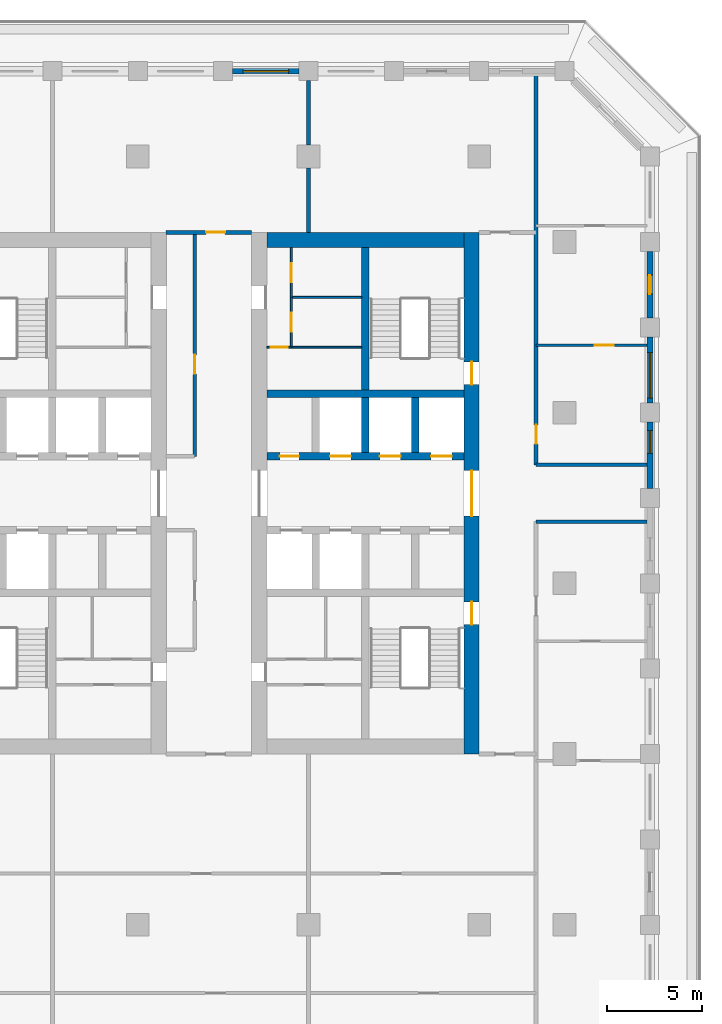
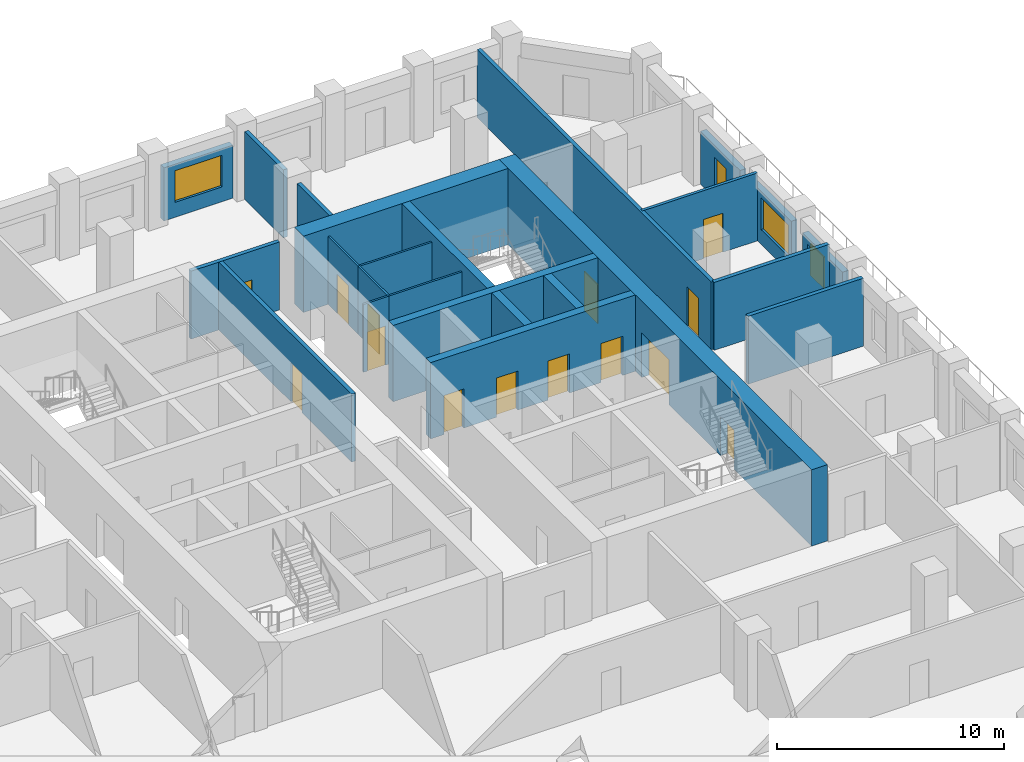
# One storey, part 7 of 16: 24 walls, 15 doors, 3 windows, 18 openings.
"""IFC4 building model written with IfcOpenShell, lengths in metres."""

from ifc_helpers import new_model, si_unit, direction, frame, frame_2d, origin, place, context, subcontext, project, spatial, rectangle, extrude, material, layer, layer_set, type_object, element, fill, save


model = new_model("IFC4")

# Units and contexts
model_context = context("Model", 3, precision=1e-05, world=origin(), true_north=direction((0.0, 1.0)))
body_context = subcontext(model_context, "Body", "Model", "MODEL_VIEW")
ifc_project = project(units=[si_unit("LENGTHUNIT", "METRE"), si_unit("AREAUNIT", "SQUARE_METRE"), si_unit("VOLUMEUNIT", "CUBIC_METRE"), si_unit("PLANEANGLEUNIT", "RADIAN"), si_unit("MASSUNIT", "GRAM", prefix="KILO")], contexts=[model_context])

# Site, building, storey
site_placement = place(None, origin())
site = spatial("IfcSite", under=ifc_project, at=site_placement, CompositionType="ELEMENT")
building_placement = place(site_placement, origin())
building = spatial("IfcBuilding", under=site, at=building_placement, Name="Corbel Stack Research Tower", CompositionType="ELEMENT")
storey_placement = place(building_placement, frame((0.0, 0.0, 177.300048828125)))
storey = spatial("IfcBuildingStorey", under=building, at=storey_placement, Name="L40", CompositionType="ELEMENT", Elevation=177.300048828125)

# Wall, openings, doors
ifc_material_1 = material(Name="Concrete C60/75", Category="concrete")
ifc_layer_1 = layer(ifc_material_1, 0.39990234375)
ifc_layer_set_1 = layer_set([ifc_layer_1], Name="Concrete C60/75")
wall_type_1 = type_object("IfcWallType", Name="CW-400-60", PredefinedType="SHEAR", material=ifc_layer_set_1)
wall_1_placement = place(storey_placement, frame((6.800048828125, 6.699951171875, 0.0), z_axis=(0.0, 0.0, 1.0), x_axis=(1.0, 0.0, 0.0)))
wall_1 = element("IfcWall", 1, at=wall_1_placement, inside=storey, type_object=wall_type_1, Name="East core wall, lobby north L40", PredefinedType="SHEAR", context=body_context, shape_type="SweptSolid", body=[
    extrude(rectangle(XDim=10.39990234375, YDim=0.39990234375, at=frame_2d((5.199951171875, 0.0))), origin(), (0.0, 0.0, 1.0), 4.099853515625),
])
opening_1_placement = place(wall_1_placement, frame((3.33740234375, 0.0, 0.0)))
opening_1 = element("IfcOpeningElement", 2, at=opening_1_placement, cuts=wall_1, Name="Opening LD-HR4", PredefinedType="OPENING", context=body_context, shape_type="SweptSolid", body=[
    extrude(rectangle(XDim=1.10009765625, YDim=2.10009765625, at=frame_2d((0.550048828125, 1.050048828125))), frame((0.0, 0.2099609375, 0.0), z_axis=(0.0, -1.0, 0.0), x_axis=(1.0, 0.0, 0.0)), (0.0, 0.0, 1.0), 0.419921875),
])
opening_2_placement = place(wall_1_placement, frame((5.96240234375, 0.0, 0.0)))
opening_2 = element("IfcOpeningElement", 3, at=opening_2_placement, cuts=wall_1, Name="Opening LD-HR5", PredefinedType="OPENING", context=body_context, shape_type="SweptSolid", body=[
    extrude(rectangle(XDim=1.10009765625, YDim=2.10009765625, at=frame_2d((0.550048828125, 1.050048828125))), frame((0.0, 0.2099609375, 0.0), z_axis=(0.0, -1.0, 0.0), x_axis=(1.0, 0.0, 0.0)), (0.0, 0.0, 1.0), 0.419921875),
])
opening_3_placement = place(wall_1_placement, frame((8.66259765625, 0.0, 0.0)))
opening_3 = element("IfcOpeningElement", 4, at=opening_3_placement, cuts=wall_1, Name="Opening LD-HR6", PredefinedType="OPENING", context=body_context, shape_type="SweptSolid", body=[
    extrude(rectangle(XDim=1.10009765625, YDim=2.10009765625, at=frame_2d((0.550048828125, 1.050048828125))), frame((0.0, 0.2099609375, 0.0), z_axis=(0.0, -1.0, 0.0), x_axis=(1.0, 0.0, 0.0)), (0.0, 0.0, 1.0), 0.419921875),
])
opening_4_placement = place(wall_1_placement, frame((0.6875, 0.0, 0.0)))
opening_4 = element("IfcOpeningElement", 5, at=opening_4_placement, cuts=wall_1, Name="Opening CR-E24-N1", PredefinedType="OPENING", context=body_context, shape_type="SweptSolid", body=[
    extrude(rectangle(XDim=1.0, YDim=2.10009765625, at=frame_2d((0.5, 1.050048828125))), frame((0.0, 0.2099609375, 0.0), z_axis=(0.0, -1.0, 0.0), x_axis=(1.0, 0.0, 0.0)), (0.0, 0.0, 1.0), 0.419921875),
])
ifc_material_2 = material(Name="Stainless steel landing door", Category="steel")
door_type_1 = type_object("IfcDoorType", Name="Lift landing door 1100 x 2100", OperationType="DOUBLE_DOOR_SLIDING", PredefinedType="DOOR", material=ifc_material_2)
door_1_placement = place(opening_1_placement, origin())
door_1 = element("IfcDoor", 6, at=door_1_placement, inside=storey, type_object=door_type_1, Name="Landing door HR4", OperationType="DOUBLE_DOOR_SLIDING", OverallHeight=2.10009765625, OverallWidth=1.10009765625, PredefinedType="DOOR", context=body_context, shape_type="SweptSolid", body=[
    extrude(rectangle(XDim=1.10009765625, YDim=2.10009765625, at=frame_2d((0.550048828125, 1.050048828125))), frame((0.0, 0.02490234375, 0.0), z_axis=(0.0, -1.0, 0.0), x_axis=(1.0, 0.0, 0.0)), (0.0, 0.0, 1.0), 0.050048828125),
])
fill(opening_1, door_1)
door_2_placement = place(opening_2_placement, origin())
door_2 = element("IfcDoor", 7, at=door_2_placement, inside=storey, type_object=door_type_1, Name="Landing door HR5", OperationType="DOUBLE_DOOR_SLIDING", OverallHeight=2.10009765625, OverallWidth=1.10009765625, PredefinedType="DOOR", context=body_context, shape_type="SweptSolid", body=[
    extrude(rectangle(XDim=1.10009765625, YDim=2.10009765625, at=frame_2d((0.550048828125, 1.050048828125))), frame((0.0, 0.02490234375, 0.0), z_axis=(0.0, -1.0, 0.0), x_axis=(1.0, 0.0, 0.0)), (0.0, 0.0, 1.0), 0.050048828125),
])
fill(opening_2, door_2)
door_3_placement = place(opening_3_placement, origin())
door_3 = element("IfcDoor", 8, at=door_3_placement, inside=storey, type_object=door_type_1, Name="Landing door HR6", OperationType="DOUBLE_DOOR_SLIDING", OverallHeight=2.10009765625, OverallWidth=1.10009765625, PredefinedType="DOOR", context=body_context, shape_type="SweptSolid", body=[
    extrude(rectangle(XDim=1.10009765625, YDim=2.10009765625, at=frame_2d((0.550048828125, 1.050048828125))), frame((0.0, 0.02490234375, 0.0), z_axis=(0.0, -1.0, 0.0), x_axis=(1.0, 0.0, 0.0)), (0.0, 0.0, 1.0), 0.050048828125),
])
fill(opening_3, door_3)
ifc_material_3 = material(Name="Painted steel door", Category="steel")
door_type_2 = type_object("IfcDoorType", Name="Service door 1000 x 2100 FD60 left hand", OperationType="SINGLE_SWING_LEFT", PredefinedType="DOOR", material=ifc_material_3)
door_4_placement = place(opening_4_placement, origin())
door_4 = element("IfcDoor", 9, at=door_4_placement, inside=storey, type_object=door_type_2, Name="Pantry door E core", OperationType="SINGLE_SWING_LEFT", OverallHeight=2.10009765625, OverallWidth=1.0, PredefinedType="DOOR", context=body_context, shape_type="SweptSolid", body=[
    extrude(rectangle(XDim=1.0, YDim=2.10009765625, at=frame_2d((0.5, 1.050048828125))), frame((0.0, 0.02490234375, 0.0), z_axis=(0.0, -1.0, 0.0), x_axis=(1.0, 0.0, 0.0)), (0.0, 0.0, 1.0), 0.050048828125),
])
fill(opening_4, door_4)

# Walls
wall_2_placement = place(storey_placement, frame((6.800048828125, 10.0, 0.0), z_axis=(0.0, 0.0, 1.0), x_axis=(1.0, 0.0, 0.0)))
element("IfcWall", 10, at=wall_2_placement, inside=storey, type_object=wall_type_1, Name="East core wall, north row back L40", PredefinedType="SHEAR", context=body_context, shape_type="SweptSolid", body=[
    extrude(rectangle(XDim=10.39990234375, YDim=0.39990234375, at=frame_2d((5.199951171875, 0.0))), origin(), (0.0, 0.0, 1.0), 4.099853515625),
])
for number, where, z_axis, x_axis, name in (
    (11, (12.0, 6.89990234375, 0.0), (0.0, 0.0, 1.0), (0.0, 1.0, 0.0), "East core wall, north shaft 2 L40"),
    (12, (14.625, 6.89990234375, 0.0), (0.0, 0.0, 1.0), (0.0, 1.0, 0.0), "East core wall, north shaft 3 L40"),
):
    element("IfcWall", number, at=place(storey_placement, frame(where, z_axis=z_axis, x_axis=x_axis)), inside=storey, type_object=wall_type_1, Name=name, PredefinedType="SHEAR", context=body_context, shape_type="SweptSolid", body=[
        extrude(rectangle(XDim=2.900146484375, YDim=0.39990234375, at=frame_2d((1.4501953125, 0.0))), origin(), (0.0, 0.0, 1.0), 4.099853515625),
    ])
wall_3_placement = place(storey_placement, frame((12.0, 10.199951171875, 0.0), z_axis=(0.0, 0.0, 1.0), x_axis=(0.0, 1.0, 0.0)))
element("IfcWall", 13, at=wall_3_placement, inside=storey, type_object=wall_type_1, Name="East core wall, north stair and riser L40", PredefinedType="SHEAR", context=body_context, shape_type="SweptSolid", body=[
    extrude(rectangle(XDim=7.5, YDim=0.39990234375, at=frame_2d((3.75, 0.0))), origin(), (0.0, 0.0, 1.0), 4.099853515625),
])

# Wall, openings, doors
ifc_material_4 = material(Name="Concrete C60/75", Category="concrete")
ifc_layer_2 = layer(ifc_material_4, 0.800048828125)
ifc_layer_set_2 = layer_set([ifc_layer_2], Name="Concrete C60/75")
wall_type_2 = type_object("IfcWallType", Name="CW-800-60", PredefinedType="SHEAR", material=ifc_layer_set_2)
wall_4_placement = place(storey_placement, frame((17.60009765625, -9.0, 0.0), z_axis=(0.0, 0.0, 1.0), x_axis=(0.0, 1.0, 0.0)))
wall_4 = element("IfcWall", 14, at=wall_4_placement, inside=storey, type_object=wall_type_2, Name="East core wall, east face L40", PredefinedType="SHEAR", context=body_context, shape_type="SweptSolid", body=[
    extrude(rectangle(XDim=27.5, YDim=0.800048828125, at=frame_2d((13.75, 0.0))), origin(), (0.0, 0.0, 1.0), 4.099853515625),
])
opening_5_placement = place(wall_4_placement, frame((12.550048828125, 0.0, 0.0)))
opening_5 = element("IfcOpeningElement", 15, at=opening_5_placement, cuts=wall_4, Name="Opening CD-E-E", PredefinedType="OPENING", context=body_context, shape_type="SweptSolid", body=[
    extrude(rectangle(XDim=2.39990234375, YDim=2.39990234375, at=frame_2d((1.199951171875, 1.199951171875))), frame((0.0, 0.409912109375, 0.0), z_axis=(0.0, -1.0, 0.0), x_axis=(1.0, 0.0, 0.0)), (0.0, 0.0, 1.0), 0.820068359375),
])
opening_6_placement = place(wall_4_placement, frame((6.824951171875, 0.0, 0.0)))
opening_6 = element("IfcOpeningElement", 16, at=opening_6_placement, cuts=wall_4, Name="Opening SD-ST-E1", PredefinedType="OPENING", context=body_context, shape_type="SweptSolid", body=[
    extrude(rectangle(XDim=1.199951171875, YDim=2.10009765625, at=frame_2d((0.60009765625, 1.050048828125))), frame((0.0, 0.409912109375, 0.0), z_axis=(0.0, -1.0, 0.0), x_axis=(1.0, 0.0, 0.0)), (0.0, 0.0, 1.0), 0.820068359375),
])
opening_7_placement = place(wall_4_placement, frame((19.47509765625, 0.0, 0.0)))
opening_7 = element("IfcOpeningElement", 17, at=opening_7_placement, cuts=wall_4, Name="Opening SD-ST-E2", PredefinedType="OPENING", context=body_context, shape_type="SweptSolid", body=[
    extrude(rectangle(XDim=1.199951171875, YDim=2.10009765625, at=frame_2d((0.60009765625, 1.050048828125))), frame((0.0, 0.409912109375, 0.0), z_axis=(0.0, -1.0, 0.0), x_axis=(1.0, 0.0, 0.0)), (0.0, 0.0, 1.0), 0.820068359375),
])
ifc_material_5 = material(Name="Painted steel fire door", Category="steel")
door_type_3 = type_object("IfcDoorType", Name="Lobby door pair 2400 x 2400 FD30S", OperationType="DOUBLE_DOOR_DOUBLE_SWING", PredefinedType="DOOR", material=ifc_material_5)
door_5_placement = place(opening_5_placement, origin())
door_5 = element("IfcDoor", 18, at=door_5_placement, inside=storey, type_object=door_type_3, Name="Lift lobby door E core E", OperationType="DOUBLE_DOOR_DOUBLE_SWING", OverallHeight=2.39990234375, OverallWidth=2.39990234375, PredefinedType="DOOR", context=body_context, shape_type="SweptSolid", body=[
    extrude(rectangle(XDim=2.39990234375, YDim=2.39990234375, at=frame_2d((1.199951171875, 1.199951171875))), frame((0.0, 0.02490234375, 0.0), z_axis=(0.0, -1.0, 0.0), x_axis=(1.0, 0.0, 0.0)), (0.0, 0.0, 1.0), 0.050048828125),
])
fill(opening_5, door_5)
ifc_material_6 = material(Name="Painted steel fire door", Category="steel")
door_type_4 = type_object("IfcDoorType", Name="Stair door 1200 x 2100 FD90 right hand", OperationType="SINGLE_SWING_RIGHT", PredefinedType="DOOR", material=ifc_material_6)
door_6_placement = place(opening_6_placement, frame((1.199951171875, 0.0, 0.0), z_axis=(0.0, 0.0, 1.0), x_axis=(-1.0, 0.0, 0.0)))
door_6 = element("IfcDoor", 19, at=door_6_placement, inside=storey, type_object=door_type_4, Name="Stair door ST-E1", OperationType="SINGLE_SWING_LEFT", OverallHeight=2.10009765625, OverallWidth=1.199951171875, PredefinedType="DOOR", context=body_context, shape_type="SweptSolid", body=[
    extrude(rectangle(XDim=1.199951171875, YDim=2.10009765625, at=frame_2d((0.60009765625, 1.050048828125))), frame((0.0, 0.02490234375, 0.0), z_axis=(0.0, -1.0, 0.0), x_axis=(1.0, 0.0, 0.0)), (0.0, 0.0, 1.0), 0.050048828125),
])
fill(opening_6, door_6)
door_7_placement = place(opening_7_placement, frame((1.199951171875, 0.0, 0.0), z_axis=(0.0, 0.0, 1.0), x_axis=(-1.0, 0.0, 0.0)))
door_7 = element("IfcDoor", 20, at=door_7_placement, inside=storey, type_object=door_type_4, Name="Stair door ST-E2", OperationType="SINGLE_SWING_LEFT", OverallHeight=2.10009765625, OverallWidth=1.199951171875, PredefinedType="DOOR", context=body_context, shape_type="SweptSolid", body=[
    extrude(rectangle(XDim=1.199951171875, YDim=2.10009765625, at=frame_2d((0.60009765625, 1.050048828125))), frame((0.0, 0.02490234375, 0.0), z_axis=(0.0, -1.0, 0.0), x_axis=(1.0, 0.0, 0.0)), (0.0, 0.0, 1.0), 0.050048828125),
])
fill(opening_7, door_7)

# Wall
wall_5_placement = place(storey_placement, frame((6.800048828125, 18.10009765625, 0.0), z_axis=(0.0, 0.0, 1.0), x_axis=(1.0, 0.0, 0.0)))
element("IfcWall", 21, at=wall_5_placement, inside=storey, type_object=wall_type_2, Name="East core wall, north end L40", PredefinedType="SHEAR", context=body_context, shape_type="SweptSolid", body=[
    extrude(rectangle(XDim=10.39990234375, YDim=0.800048828125, at=frame_2d((5.199951171875, 0.0))), origin(), (0.0, 0.0, 1.0), 4.099853515625),
])

# Wall, opening, door
ifc_material_7 = material(Name="Gypsum board")
ifc_layer_3 = layer(ifc_material_7, 0.10009765625)
ifc_layer_set_3 = layer_set([ifc_layer_3], Name="Gypsum board")
wall_type_3 = type_object("IfcWallType", Name="Core partition 100", PredefinedType="PARTITIONING", material=ifc_layer_set_3)
wall_6_placement = place(storey_placement, frame((6.800048828125, 12.449951171875, 0.0), z_axis=(0.0, 0.0, 1.0), x_axis=(1.0, 0.0, 0.0)))
wall_6 = element("IfcWall", 22, at=wall_6_placement, inside=storey, type_object=wall_type_3, Name="Core partition E", PredefinedType="PARTITIONING", context=body_context, shape_type="SweptSolid", body=[
    extrude(rectangle(XDim=1.300048828125, YDim=0.10009765625, at=frame_2d((0.64990234375, 0.0))), origin(), (0.0, 0.0, 1.0), 3.64990234375),
])
opening_8_placement = place(wall_6_placement, frame((0.199951171875, 0.0, 0.0)))
opening_8 = element("IfcOpeningElement", 23, at=opening_8_placement, cuts=wall_6, Name="Opening CR-E24-R1-900", PredefinedType="OPENING", context=body_context, shape_type="SweptSolid", body=[
    extrude(rectangle(XDim=0.89990234375, YDim=2.10009765625, at=frame_2d((0.449951171875, 1.050048828125))), frame((0.0, 0.06005859375, 0.0), z_axis=(0.0, -1.0, 0.0), x_axis=(1.0, 0.0, 0.0)), (0.0, 0.0, 1.0), 0.1201171875),
])
ifc_material_8 = material(Name="Painted steel door", Category="steel")
door_type_5 = type_object("IfcDoorType", Name="Riser door 900 x 2100 FD60 right hand", OperationType="SINGLE_SWING_RIGHT", PredefinedType="DOOR", material=ifc_material_8)
door_8_placement = place(opening_8_placement, origin())
door_8 = element("IfcDoor", 24, at=door_8_placement, inside=storey, type_object=door_type_5, Name="Electrical riser door E core", OperationType="SINGLE_SWING_RIGHT", OverallHeight=2.10009765625, OverallWidth=0.89990234375, PredefinedType="DOOR", context=body_context, shape_type="SweptSolid", body=[
    extrude(rectangle(XDim=0.89990234375, YDim=2.10009765625, at=frame_2d((0.449951171875, 1.050048828125))), frame((0.0, 0.02490234375, 0.0), z_axis=(0.0, -1.0, 0.0), x_axis=(1.0, 0.0, 0.0)), (0.0, 0.0, 1.0), 0.050048828125),
])
fill(opening_8, door_8)

# Wall
wall_7_placement = place(storey_placement, frame((8.10009765625, 12.449951171875, 0.0), z_axis=(0.0, 0.0, 1.0), x_axis=(1.0, 0.0, 0.0)))
element("IfcWall", 25, at=wall_7_placement, inside=storey, type_object=wall_type_3, Name="Core partition E", PredefinedType="PARTITIONING", context=body_context, shape_type="SweptSolid", body=[
    extrude(rectangle(XDim=3.699951171875, YDim=0.10009765625, at=frame_2d((1.85009765625, 0.0))), origin(), (0.0, 0.0, 1.0), 3.64990234375),
])

# Wall, opening, door
wall_8_placement = place(storey_placement, frame((8.10009765625, 12.449951171875, 0.0), z_axis=(0.0, 0.0, 1.0), x_axis=(0.0, 1.0, 0.0)))
wall_8 = element("IfcWall", 26, at=wall_8_placement, inside=storey, type_object=wall_type_3, Name="Core partition E", PredefinedType="PARTITIONING", context=body_context, shape_type="SweptSolid", body=[
    extrude(rectangle(XDim=2.625, YDim=0.10009765625, at=frame_2d((1.3125, 0.0))), origin(), (0.0, 0.0, 1.0), 3.64990234375),
])
opening_9_placement = place(wall_8_placement, frame((0.8125, 0.0, 0.0)))
opening_9 = element("IfcOpeningElement", 27, at=opening_9_placement, cuts=wall_8, Name="Opening CR-E24-R3-1000", PredefinedType="OPENING", context=body_context, shape_type="SweptSolid", body=[
    extrude(rectangle(XDim=1.0, YDim=2.10009765625, at=frame_2d((0.5, 1.050048828125))), frame((0.0, 0.06005859375, 0.0), z_axis=(0.0, -1.0, 0.0), x_axis=(1.0, 0.0, 0.0)), (0.0, 0.0, 1.0), 0.1201171875),
])
ifc_material_9 = material(Name="Painted steel door", Category="steel")
door_type_6 = type_object("IfcDoorType", Name="Service door 1000 x 2100 FD30 right hand", OperationType="SINGLE_SWING_RIGHT", PredefinedType="DOOR", material=ifc_material_9)
door_9_placement = place(opening_9_placement, origin())
door_9 = element("IfcDoor", 28, at=door_9_placement, inside=storey, type_object=door_type_6, Name="Pantry door E core", OperationType="SINGLE_SWING_RIGHT", OverallHeight=2.10009765625, OverallWidth=1.0, PredefinedType="DOOR", context=body_context, shape_type="SweptSolid", body=[
    extrude(rectangle(XDim=1.0, YDim=2.10009765625, at=frame_2d((0.5, 1.050048828125))), frame((0.0, 0.02490234375, 0.0), z_axis=(0.0, -1.0, 0.0), x_axis=(1.0, 0.0, 0.0)), (0.0, 0.0, 1.0), 0.050048828125),
])
fill(opening_9, door_9)

wall_9_placement = place(storey_placement, frame((8.10009765625, 15.074951171875, 0.0), z_axis=(0.0, 0.0, 1.0), x_axis=(0.0, 1.0, 0.0)))
wall_9 = element("IfcWall", 29, at=wall_9_placement, inside=storey, type_object=wall_type_3, Name="Core partition E", PredefinedType="PARTITIONING", context=body_context, shape_type="SweptSolid", body=[
    extrude(rectangle(XDim=2.625, YDim=0.10009765625, at=frame_2d((1.3125, 0.0))), origin(), (0.0, 0.0, 1.0), 3.64990234375),
])
opening_10_placement = place(wall_9_placement, frame((0.8125, 0.0, 0.0)))
opening_10 = element("IfcOpeningElement", 30, at=opening_10_placement, cuts=wall_9, Name="Opening CR-E24-R4-1000", PredefinedType="OPENING", context=body_context, shape_type="SweptSolid", body=[
    extrude(rectangle(XDim=1.0, YDim=2.10009765625, at=frame_2d((0.5, 1.050048828125))), frame((0.0, 0.06005859375, 0.0), z_axis=(0.0, -1.0, 0.0), x_axis=(1.0, 0.0, 0.0)), (0.0, 0.0, 1.0), 0.1201171875),
])
ifc_material_10 = material(Name="Painted steel door", Category="steel")
door_type_7 = type_object("IfcDoorType", Name="Service door 1000 x 2100 FD30 left hand", OperationType="SINGLE_SWING_LEFT", PredefinedType="DOOR", material=ifc_material_10)
door_10_placement = place(opening_10_placement, origin())
door_10 = element("IfcDoor", 31, at=door_10_placement, inside=storey, type_object=door_type_7, Name="Copy and supply store door E core", OperationType="SINGLE_SWING_LEFT", OverallHeight=2.10009765625, OverallWidth=1.0, PredefinedType="DOOR", context=body_context, shape_type="SweptSolid", body=[
    extrude(rectangle(XDim=1.0, YDim=2.10009765625, at=frame_2d((0.5, 1.050048828125))), frame((0.0, 0.02490234375, 0.0), z_axis=(0.0, -1.0, 0.0), x_axis=(1.0, 0.0, 0.0)), (0.0, 0.0, 1.0), 0.050048828125),
])
fill(opening_10, door_10)

# Wall
wall_10_placement = place(storey_placement, frame((8.10009765625, 15.074951171875, 0.0), z_axis=(0.0, 0.0, 1.0), x_axis=(1.0, 0.0, 0.0)))
element("IfcWall", 32, at=wall_10_placement, inside=storey, type_object=wall_type_3, Name="Core partition E", PredefinedType="PARTITIONING", context=body_context, shape_type="SweptSolid", body=[
    extrude(rectangle(XDim=3.699951171875, YDim=0.10009765625, at=frame_2d((1.85009765625, 0.0))), origin(), (0.0, 0.0, 1.0), 3.64990234375),
])

# Wall, opening, door
ifc_material_11 = material(Name="Fire-rated gypsum board partition on steel studs", Category="steel")
ifc_layer_4 = layer(ifc_material_11, 0.199951171875)
ifc_layer_set_4 = layer_set([ifc_layer_4], Name="Fire-rated gypsum board partition on steel studs")
wall_type_4 = type_object("IfcWallType", Name="Fire-rated partition 200 EI 60", PredefinedType="PARTITIONING", material=ifc_layer_set_4)
wall_11_placement = place(storey_placement, frame((3.0, 6.699951171875, 0.0), z_axis=(0.0, 0.0, 1.0), x_axis=(0.0, 1.0, 0.0)))
wall_11 = element("IfcWall", 33, at=wall_11_placement, inside=storey, type_object=wall_type_4, Name="Partition L40-014", PredefinedType="PARTITIONING", context=body_context, shape_type="SweptSolid", body=[
    extrude(rectangle(XDim=11.800048828125, YDim=0.199951171875, at=frame_2d((5.89990234375, 0.0))), origin(), (0.0, 0.0, 1.0), 3.64990234375),
])
opening_11_placement = place(wall_11_placement, frame((4.35009765625, 0.0, 0.0)))
opening_11 = element("IfcOpeningElement", 34, at=opening_11_placement, cuts=wall_11, Name="Opening B5V2-019", PredefinedType="OPENING", context=body_context, shape_type="SweptSolid", body=[
    extrude(rectangle(XDim=1.0, YDim=2.10009765625, at=frame_2d((0.5, 1.050048828125))), frame((0.0, 0.10986328125, 0.0), z_axis=(0.0, -1.0, 0.0), x_axis=(1.0, 0.0, 0.0)), (0.0, 0.0, 1.0), 0.219970703125),
])
ifc_material_12 = material(Name="Painted steel fire door", Category="steel")
door_type_8 = type_object("IfcDoorType", Name="Fire door FD30S 1000 x 2100", OperationType="NOTDEFINED", PredefinedType="DOOR", material=ifc_material_12)
door_11_placement = place(opening_11_placement, origin())
door_11 = element("IfcDoor", 35, at=door_11_placement, inside=storey, type_object=door_type_8, Name="Door B5V2-019", OperationType="SINGLE_SWING_LEFT", OverallHeight=2.10009765625, OverallWidth=1.0, PredefinedType="DOOR", context=body_context, shape_type="SweptSolid", body=[
    extrude(rectangle(XDim=1.0, YDim=2.10009765625, at=frame_2d((0.5, 1.050048828125))), frame((0.0, 0.02490234375, 0.0), z_axis=(0.0, -1.0, 0.0), x_axis=(1.0, 0.0, 0.0)), (0.0, 0.0, 1.0), 0.050048828125),
])
fill(opening_11, door_11)

# Walls
for number, where, z_axis, x_axis, name in (
    (36, (9.0, 18.5, 0.0), (0.0, 0.0, 1.0), (0.0, 1.0, 0.0), "Partition L40-017"),
    (37, (9.0, 23.10009765625, 0.0), (0.0, 0.0, 1.0), (0.0, 1.0, 0.0), "Partition L40-018"),
):
    element("IfcWall", number, at=place(storey_placement, frame(where, z_axis=z_axis, x_axis=x_axis)), inside=storey, type_object=wall_type_4, Name=name, PredefinedType="PARTITIONING", context=body_context, shape_type="SweptSolid", body=[
        extrude(rectangle(XDim=3.39990234375, YDim=0.199951171875, at=frame_2d((1.699951171875, 0.0))), origin(), (0.0, 0.0, 1.0), 3.64990234375),
    ])

# Wall, opening, door
wall_12_placement = place(storey_placement, frame((21.0, 26.85009765625, 0.0), z_axis=(0.0, 0.0, 1.0), x_axis=(0.0, -1.0, 0.0)))
wall_12 = element("IfcWall", 38, at=wall_12_placement, inside=storey, type_object=wall_type_4, Name="Partition L40-020", PredefinedType="PARTITIONING", context=body_context, shape_type="SweptSolid", body=[
    extrude(rectangle(XDim=20.60009765625, YDim=0.199951171875, at=frame_2d((10.300048828125, 0.0))), origin(), (0.0, 0.0, 1.0), 3.64990234375),
])
opening_12_placement = place(wall_12_placement, frame((18.5, 0.0, 0.0)))
opening_12 = element("IfcOpeningElement", 39, at=opening_12_placement, cuts=wall_12, Name="Opening B5V2-032", PredefinedType="OPENING", context=body_context, shape_type="SweptSolid", body=[
    extrude(rectangle(XDim=1.0, YDim=2.10009765625, at=frame_2d((0.5, 1.050048828125))), frame((0.0, 0.10986328125, 0.0), z_axis=(0.0, -1.0, 0.0), x_axis=(1.0, 0.0, 0.0)), (0.0, 0.0, 1.0), 0.219970703125),
])
door_12_placement = place(opening_12_placement, origin())
door_12 = element("IfcDoor", 40, at=door_12_placement, inside=storey, type_object=door_type_8, Name="Door B5V2-032", OperationType="SINGLE_SWING_RIGHT", OverallHeight=2.10009765625, OverallWidth=1.0, PredefinedType="DOOR", context=body_context, shape_type="SweptSolid", body=[
    extrude(rectangle(XDim=1.0, YDim=2.10009765625, at=frame_2d((0.5, 1.050048828125))), frame((0.0, 0.02490234375, 0.0), z_axis=(0.0, -1.0, 0.0), x_axis=(1.0, 0.0, 0.0)), (0.0, 0.0, 1.0), 0.050048828125),
])
fill(opening_12, door_12)

# Walls
for number, where, z_axis, x_axis, name in (
    (41, (21.0, 3.25, 0.0), (0.0, 0.0, 1.0), (1.0, 0.0, 0.0), "Partition L40-035"),
    (42, (21.0, 6.25, 0.0), (0.0, 0.0, 1.0), (1.0, 0.0, 0.0), "Partition L40-037"),
):
    element("IfcWall", number, at=place(storey_placement, frame(where, z_axis=z_axis, x_axis=x_axis)), inside=storey, type_object=wall_type_4, Name=name, PredefinedType="PARTITIONING", context=body_context, shape_type="SweptSolid", body=[
        extrude(rectangle(XDim=5.85009765625, YDim=0.199951171875, at=frame_2d((2.925048828125, 0.0))), origin(), (0.0, 0.0, 1.0), 3.64990234375),
    ])

# Wall, opening, door
wall_13_placement = place(storey_placement, frame((1.5, 18.5, 0.0), z_axis=(0.0, 0.0, 1.0), x_axis=(1.0, 0.0, 0.0)))
wall_13 = element("IfcWall", 43, at=wall_13_placement, inside=storey, type_object=wall_type_4, Name="Partition L40-042", PredefinedType="PARTITIONING", context=body_context, shape_type="SweptSolid", body=[
    extrude(rectangle(XDim=4.5, YDim=0.199951171875, at=frame_2d((2.25, 0.0))), origin(), (0.0, 0.0, 1.0), 3.64990234375),
])
opening_13_placement = place(wall_13_placement, frame((2.10009765625, 0.0, 0.0)))
opening_13 = element("IfcOpeningElement", 44, at=opening_13_placement, cuts=wall_13, Name="Opening B5V2-026", PredefinedType="OPENING", context=body_context, shape_type="SweptSolid", body=[
    extrude(rectangle(XDim=1.0, YDim=2.10009765625, at=frame_2d((0.5, 1.050048828125))), frame((0.0, 0.10986328125, 0.0), z_axis=(0.0, -1.0, 0.0), x_axis=(1.0, 0.0, 0.0)), (0.0, 0.0, 1.0), 0.219970703125),
])
door_13_placement = place(opening_13_placement, origin())
door_13 = element("IfcDoor", 45, at=door_13_placement, inside=storey, type_object=door_type_8, Name="Door B5V2-026", OperationType="SINGLE_SWING_RIGHT", OverallHeight=2.10009765625, OverallWidth=1.0, PredefinedType="DOOR", context=body_context, shape_type="SweptSolid", body=[
    extrude(rectangle(XDim=1.0, YDim=2.10009765625, at=frame_2d((0.5, 1.050048828125))), frame((0.0, 0.02490234375, 0.0), z_axis=(0.0, -1.0, 0.0), x_axis=(1.0, 0.0, 0.0)), (0.0, 0.0, 1.0), 0.050048828125),
])
fill(opening_13, door_13)

ifc_material_13 = material(Name="Gypsum board partition on steel studs", Category="steel")
ifc_layer_5 = layer(ifc_material_13, 0.14990234375)
ifc_layer_set_5 = layer_set([ifc_layer_5], Name="Gypsum board partition on steel studs")
wall_type_5 = type_object("IfcWallType", Name="Partition 150", PredefinedType="PARTITIONING", material=ifc_layer_set_5)
wall_14_placement = place(storey_placement, frame((21.0, 12.550048828125, 0.0), z_axis=(0.0, 0.0, 1.0), x_axis=(1.0, 0.0, 0.0)))
wall_14 = element("IfcWall", 46, at=wall_14_placement, inside=storey, type_object=wall_type_5, Name="Partition L40-040", PredefinedType="PARTITIONING", context=body_context, shape_type="SweptSolid", body=[
    extrude(rectangle(XDim=5.85009765625, YDim=0.14990234375, at=frame_2d((2.925048828125, 0.0))), origin(), (0.0, 0.0, 1.0), 3.64990234375),
])
opening_14_placement = place(wall_14_placement, frame((3.10009765625, 0.0, 0.0)))
opening_14 = element("IfcOpeningElement", 47, at=opening_14_placement, cuts=wall_14, Name="Opening B5V2-024", PredefinedType="OPENING", context=body_context, shape_type="SweptSolid", body=[
    extrude(rectangle(XDim=1.0, YDim=2.10009765625, at=frame_2d((0.5, 1.050048828125))), frame((0.0, 0.0849609375, 0.0), z_axis=(0.0, -1.0, 0.0), x_axis=(1.0, 0.0, 0.0)), (0.0, 0.0, 1.0), 0.169921875),
])
ifc_material_14 = material(Name="Painted timber door", Category="wood")
door_type_9 = type_object("IfcDoorType", Name="Single door 1000 x 2100", OperationType="NOTDEFINED", PredefinedType="DOOR", material=ifc_material_14)
door_14_placement = place(opening_14_placement, origin())
door_14 = element("IfcDoor", 48, at=door_14_placement, inside=storey, type_object=door_type_9, Name="Door B5V2-024", OperationType="SINGLE_SWING_RIGHT", OverallHeight=2.10009765625, OverallWidth=1.0, PredefinedType="DOOR", context=body_context, shape_type="SweptSolid", body=[
    extrude(rectangle(XDim=1.0, YDim=2.10009765625, at=frame_2d((0.5, 1.050048828125))), frame((0.0, 0.02490234375, 0.0), z_axis=(0.0, -1.0, 0.0), x_axis=(1.0, 0.0, 0.0)), (0.0, 0.0, 1.0), 0.050048828125),
])
fill(opening_14, door_14)

# Wall, opening, window
ifc_material_15 = material(Name="Concrete C45/55", Category="concrete")
ifc_layer_6 = layer(ifc_material_15, 0.300048828125)
ifc_layer_set_6 = layer_set([ifc_layer_6], Name="Concrete C45/55")
wall_type_6 = type_object("IfcWallType", Name="Terracotta-faced concrete wall 300", PredefinedType="SOLIDWALL", material=ifc_layer_set_6)
wall_15_placement = place(storey_placement, frame((27.0, 8.5, 0.0), z_axis=(0.0, 0.0, 1.0), x_axis=(0.0, -1.0, 0.0)))
wall_15 = element("IfcWall", 49, at=wall_15_placement, inside=storey, type_object=wall_type_6, Name="Facade wall L40 E07", PredefinedType="SOLIDWALL", context=body_context, shape_type="SweptSolid", body=[
    extrude(rectangle(XDim=3.5, YDim=0.300048828125, at=frame_2d((1.75, 0.0))), origin(), (0.0, 0.0, 1.0), 2.849853515625),
])
opening_15_placement = place(wall_15_placement, frame((0.449951171875, 0.0, 0.800048828125)))
opening_15 = element("IfcOpeningElement", 50, at=opening_15_placement, cuts=wall_15, Name="Opening W2", PredefinedType="OPENING", context=body_context, shape_type="SweptSolid", body=[
    extrude(rectangle(XDim=1.199951171875, YDim=1.699951171875, at=frame_2d((0.60009765625, 0.85009765625))), frame((0.0, 0.159912109375, 0.0), z_axis=(0.0, -1.0, 0.0), x_axis=(1.0, 0.0, 0.0)), (0.0, 0.0, 1.0), 0.320068359375),
])
ifc_material_16 = material(Name="Aluminium frame, clear double glazing", Category="aluminium")
window_type_1 = type_object("IfcWindowType", Name="Window W2 1200 x 1700", PartitioningType="SINGLE_PANEL", PredefinedType="WINDOW", material=ifc_material_16)
window_1_placement = place(opening_15_placement, origin())
window_1 = element("IfcWindow", 51, at=window_1_placement, inside=storey, type_object=window_type_1, Name="Window W2 L40 E07", OverallHeight=1.699951171875, OverallWidth=1.199951171875, PartitioningType="SINGLE_PANEL", PredefinedType="WINDOW", context=body_context, shape_type="SweptSolid", body=[
    extrude(rectangle(XDim=1.199951171875, YDim=1.699951171875, at=frame_2d((0.60009765625, 0.85009765625))), frame((0.0, 0.030029296875, 0.0), z_axis=(0.0, -1.0, 0.0), x_axis=(1.0, 0.0, 0.0)), (0.0, 0.0, 1.0), 0.06005859375),
])
fill(opening_15, window_1)

wall_16_placement = place(storey_placement, frame((27.0, 13.0, 0.0), z_axis=(0.0, 0.0, 1.0), x_axis=(0.0, -1.0, 0.0)))
wall_16 = element("IfcWall", 52, at=wall_16_placement, inside=storey, type_object=wall_type_6, Name="Facade wall L40 E08", PredefinedType="SOLIDWALL", context=body_context, shape_type="SweptSolid", body=[
    extrude(rectangle(XDim=3.5, YDim=0.300048828125, at=frame_2d((1.75, 0.0))), origin(), (0.0, 0.0, 1.0), 2.849853515625),
])
opening_16_placement = place(wall_16_placement, frame((0.83740234375, 0.0, 0.800048828125)))
opening_16 = element("IfcOpeningElement", 53, at=opening_16_placement, cuts=wall_16, Name="Opening W1", PredefinedType="OPENING", context=body_context, shape_type="SweptSolid", body=[
    extrude(rectangle(XDim=2.39990234375, YDim=1.699951171875, at=frame_2d((1.199951171875, 0.85009765625))), frame((0.0, 0.159912109375, 0.0), z_axis=(0.0, -1.0, 0.0), x_axis=(1.0, 0.0, 0.0)), (0.0, 0.0, 1.0), 0.320068359375),
])
ifc_material_17 = material(Name="Aluminium frame, clear double glazing", Category="aluminium")
window_type_2 = type_object("IfcWindowType", Name="Window W1 2400 x 1700", PartitioningType="SINGLE_PANEL", PredefinedType="WINDOW", material=ifc_material_17)
window_2_placement = place(opening_16_placement, origin())
window_2 = element("IfcWindow", 54, at=window_2_placement, inside=storey, type_object=window_type_2, Name="Window W1 L40 E08", OverallHeight=1.699951171875, OverallWidth=2.39990234375, PartitioningType="SINGLE_PANEL", PredefinedType="WINDOW", context=body_context, shape_type="SweptSolid", body=[
    extrude(rectangle(XDim=2.39990234375, YDim=1.699951171875, at=frame_2d((1.199951171875, 0.85009765625))), frame((0.0, 0.030029296875, 0.0), z_axis=(0.0, -1.0, 0.0), x_axis=(1.0, 0.0, 0.0)), (0.0, 0.0, 1.0), 0.06005859375),
])
fill(opening_16, window_2)

# Wall, opening, door
wall_17_placement = place(storey_placement, frame((27.0, 17.5, 0.0), z_axis=(0.0, 0.0, 1.0), x_axis=(0.0, -1.0, 0.0)))
wall_17 = element("IfcWall", 55, at=wall_17_placement, inside=storey, type_object=wall_type_6, Name="Facade wall L40 E09", PredefinedType="SOLIDWALL", context=body_context, shape_type="SweptSolid", body=[
    extrude(rectangle(XDim=3.5, YDim=0.300048828125, at=frame_2d((1.75, 0.0))), origin(), (0.0, 0.0, 1.0), 2.849853515625),
])
opening_17_placement = place(wall_17_placement, frame((1.25, 0.0, 0.0)))
opening_17 = element("IfcOpeningElement", 56, at=opening_17_placement, cuts=wall_17, Name="Opening L40-B05", PredefinedType="OPENING", context=body_context, shape_type="SweptSolid", body=[
    extrude(rectangle(XDim=1.0, YDim=2.199951171875, at=frame_2d((0.5, 1.10009765625))), frame((0.0, 0.159912109375, 0.0), z_axis=(0.0, -1.0, 0.0), x_axis=(1.0, 0.0, 0.0)), (0.0, 0.0, 1.0), 0.320068359375),
])
ifc_material_18 = material(Name="Aluminium frame, clear double glazing", Category="aluminium")
door_type_10 = type_object("IfcDoorType", Name="Balcony door BD1 1000 x 2200", OperationType="NOTDEFINED", PredefinedType="DOOR", material=ifc_material_18)
door_15_placement = place(opening_17_placement, origin())
door_15 = element("IfcDoor", 57, at=door_15_placement, inside=storey, type_object=door_type_10, Name="Balcony door L40-B05", OperationType="SINGLE_SWING_LEFT", OverallHeight=2.199951171875, OverallWidth=1.0, PredefinedType="DOOR", context=body_context, shape_type="SweptSolid", body=[
    extrude(rectangle(XDim=1.0, YDim=2.199951171875, at=frame_2d((0.5, 1.10009765625))), frame((0.0, 0.02490234375, 0.0), z_axis=(0.0, -1.0, 0.0), x_axis=(1.0, 0.0, 0.0)), (0.0, 0.0, 1.0), 0.050048828125),
])
fill(opening_17, door_15)

# Wall, opening, window
wall_18_placement = place(storey_placement, frame((5.0, 27.0, 0.0), z_axis=(0.0, 0.0, 1.0), x_axis=(1.0, 0.0, 0.0)))
wall_18 = element("IfcWall", 58, at=wall_18_placement, inside=storey, type_object=wall_type_6, Name="Facade wall L40 N04", PredefinedType="SOLIDWALL", context=body_context, shape_type="SweptSolid", body=[
    extrude(rectangle(XDim=3.5, YDim=0.300048828125, at=frame_2d((1.75, 0.0))), origin(), (0.0, 0.0, 1.0), 2.849853515625),
])
opening_18_placement = place(wall_18_placement, frame((0.550048828125, 0.0, 0.800048828125)))
opening_18 = element("IfcOpeningElement", 59, at=opening_18_placement, cuts=wall_18, Name="Opening W1", PredefinedType="OPENING", context=body_context, shape_type="SweptSolid", body=[
    extrude(rectangle(XDim=2.39990234375, YDim=1.699951171875, at=frame_2d((1.199951171875, 0.85009765625))), frame((0.0, 0.159912109375, 0.0), z_axis=(0.0, -1.0, 0.0), x_axis=(1.0, 0.0, 0.0)), (0.0, 0.0, 1.0), 0.320068359375),
])
window_3_placement = place(opening_18_placement, origin())
window_3 = element("IfcWindow", 60, at=window_3_placement, inside=storey, type_object=window_type_2, Name="Window W1 L40 N04", OverallHeight=1.699951171875, OverallWidth=2.39990234375, PartitioningType="SINGLE_PANEL", PredefinedType="WINDOW", context=body_context, shape_type="SweptSolid", body=[
    extrude(rectangle(XDim=2.39990234375, YDim=1.699951171875, at=frame_2d((1.199951171875, 0.85009765625))), frame((0.0, 0.030029296875, 0.0), z_axis=(0.0, -1.0, 0.0), x_axis=(1.0, 0.0, 0.0)), (0.0, 0.0, 1.0), 0.06005859375),
])
fill(opening_18, window_3)

save(model, "model.ifc")
